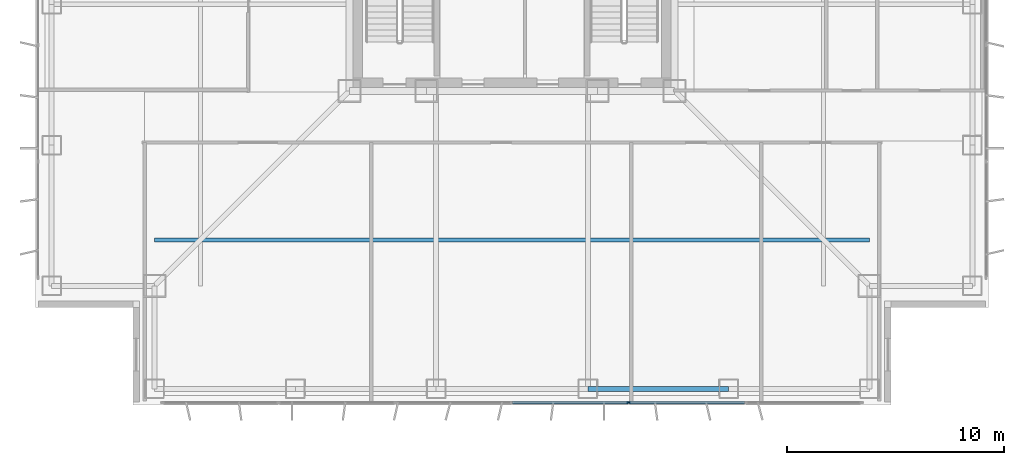
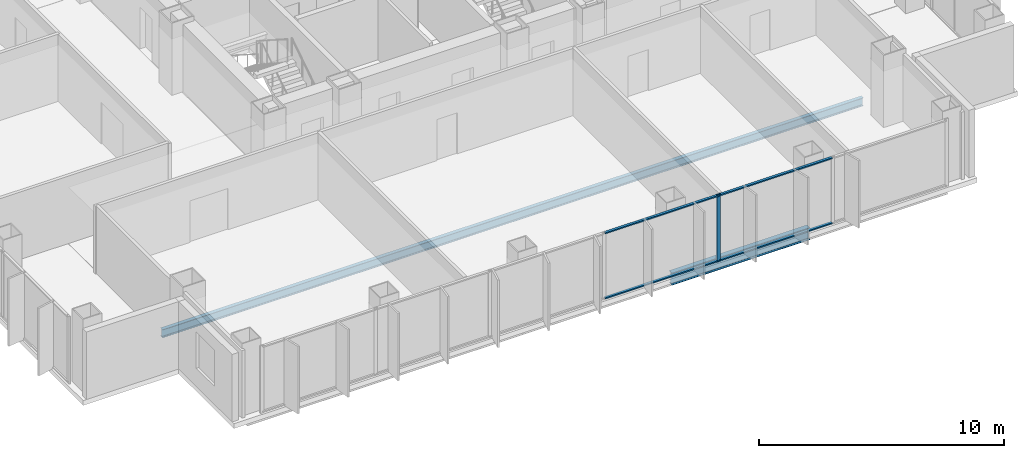
# One storey, part 3 of 17: 5 members, 2 beams, 1 element without a shape of its own.
"""IFC4 building model written with IfcOpenShell, lengths in metres."""

from ifc_helpers import new_model, si_unit, direction, frame, origin, origin_2d, place, context, subcontext, project, spatial, rectangle, i_section, extrude, material, layer, layer_set, material_profile, profile_set, type_object, element, aggregate, save


model = new_model("IFC4")

# Units and contexts
model_context = context("Model", 3, precision=1e-05, world=origin(), true_north=direction((0.0, 1.0)))
body_context = subcontext(model_context, "Body", "Model", "MODEL_VIEW")
ifc_project = project(units=[si_unit("LENGTHUNIT", "METRE"), si_unit("AREAUNIT", "SQUARE_METRE"), si_unit("VOLUMEUNIT", "CUBIC_METRE"), si_unit("PLANEANGLEUNIT", "RADIAN"), si_unit("MASSUNIT", "GRAM", prefix="KILO")], contexts=[model_context])

# Site, building, storey
site_placement = place(None, origin())
site = spatial("IfcSite", under=ifc_project, at=site_placement, CompositionType="ELEMENT")
building_placement = place(site_placement, origin())
building = spatial("IfcBuilding", under=site, at=building_placement, Name="Trevonay Congress Spire", CompositionType="ELEMENT")
storey_placement = place(building_placement, frame((0.0, 0.0, 126.39990234375)))
storey = spatial("IfcBuildingStorey", under=building, at=storey_placement, Name="L32", CompositionType="ELEMENT", Elevation=126.39990234375)

# Beam
ifc_material_1 = material(Name="Steel ASTM A572 Grade 50", Category="steel")
ifc_material_profile_1 = material_profile(ifc_material_1, i_section(OverallWidth=0.22802734375, OverallDepth=0.60791015625, WebThickness=0.01123046875, FlangeThickness=0.017333984375, FilletRadius=0.01611328125, at=origin_2d()), Name="W610x113")
ifc_profile_set_1 = profile_set([ifc_material_profile_1], Name="Steel ASTM A572 Grade 50")
beam_type_1 = type_object("IfcBeamType", Name="BM-RING-W610X113", PredefinedType="BEAM", material=ifc_profile_set_1)
beam_1_placement = place(storey_placement, frame((3.5, -21.25, -0.5439453125), z_axis=(1.0, 0.0, 0.0), x_axis=(0.0, 1.0, 0.0)))
element("IfcBeam", 1, at=beam_1_placement, inside=storey, type_object=beam_type_1, Name="L32 structural beam BM-L32-PS4", PredefinedType="BEAM", context=body_context, shape_type="SweptSolid", body=[
    extrude(i_section(OverallWidth=0.22802734375, OverallDepth=0.60791015625, WebThickness=0.01123046875, FlangeThickness=0.017333984375, FilletRadius=0.01611328125, at=origin_2d()), origin(), (0.0, 0.0, 1.0), 6.5),
])

# Curtain wall, members
ifc_material_2 = material(Name="Pale Anodised Aluminium EN AW-6063-T6", Category="aluminium")
ifc_layer = layer(ifc_material_2, 0.175048828125, Name="Pale Anodised Aluminium EN AW-6063-T6")
ifc_layer_set = layer_set([ifc_layer], Name="Pale Anodised Aluminium EN AW-6063-T6")
curtain_wall_type = type_object("IfcCurtainWallType", Name="CW-SYS03-CONGRESS-PALE-METAL", PredefinedType="NOTDEFINED", material=ifc_layer_set)
curtain_wall_placement = place(storey_placement, origin())
curtain_wall = element("IfcCurtainWall", 2, at=curtain_wall_placement, inside=storey, type_object=curtain_wall_type, Name="L32 S unitised curtain wall", PredefinedType="NOTDEFINED")
ifc_material_profile_2 = material_profile(ifc_material_2, rectangle(XDim=0.06005859375, YDim=0.159912109375, at=origin_2d()), Name="CW-MULLION-160-ALUMINIUM")
ifc_profile_set_2 = profile_set([ifc_material_profile_2], Name="Pale Anodised Aluminium EN AW-6063-T6")
member_type_1 = type_object("IfcMemberType", Name="CW-MULLION-160-ALUMINIUM", PredefinedType="MULLION", material=ifc_profile_set_2)
member_1_placement = place(storey_placement, frame((5.38330078125, -21.8798828125, 0.0), z_axis=(0.0, 0.0, 1.0), x_axis=(0.0, 1.0, 0.0)))
member_1 = element("IfcMember", 3, at=member_1_placement, type_object=member_type_1, Name="CW03 mullion 5", PredefinedType="MULLION", context=body_context, shape_type="SweptSolid", body=[
    extrude(rectangle(XDim=0.06005859375, YDim=0.159912109375, at=origin_2d()), origin(), (0.0, 0.0, 1.0), 3.360107421875),
])
ifc_material_profile_3 = material_profile(ifc_material_2, rectangle(XDim=0.1201171875, YDim=0.06005859375, at=origin_2d()), Name="CW-TRANSOM-120-ALUMINIUM")
ifc_profile_set_3 = profile_set([ifc_material_profile_3], Name="Pale Anodised Aluminium EN AW-6063-T6")
member_type_2 = type_object("IfcMemberType", Name="CW-TRANSOM-120-ALUMINIUM", PredefinedType="USERDEFINED", material=ifc_profile_set_3)
member_2_placement = place(storey_placement, frame((0.030029296875, -21.8798828125, 0.06005859375), z_axis=(1.0, 0.0, 0.0), x_axis=(0.0, 1.0, 0.0)))
member_2 = element("IfcMember", 4, at=member_2_placement, type_object=member_type_2, Name="CW03 transom 4.1", ObjectType="TRANSOM", PredefinedType="USERDEFINED", context=body_context, shape_type="SweptSolid", body=[
    extrude(rectangle(XDim=0.1201171875, YDim=0.06005859375, at=origin_2d()), origin(), (0.0, 0.0, 1.0), 5.3232421875),
])
member_3_placement = place(storey_placement, frame((0.030029296875, -21.8798828125, 3.300048828125), z_axis=(1.0, 0.0, 0.0), x_axis=(0.0, 1.0, 0.0)))
member_3 = element("IfcMember", 5, at=member_3_placement, type_object=member_type_2, Name="CW03 transom 4.2", ObjectType="TRANSOM", PredefinedType="USERDEFINED", context=body_context, shape_type="SweptSolid", body=[
    extrude(rectangle(XDim=0.1201171875, YDim=0.06005859375, at=origin_2d()), origin(), (0.0, 0.0, 1.0), 5.3232421875),
])
member_4_placement = place(storey_placement, frame((5.413330078125, -21.8798828125, 0.06005859375), z_axis=(1.0, 0.0, 0.0), x_axis=(0.0, 1.0, 0.0)))
member_4 = element("IfcMember", 6, at=member_4_placement, type_object=member_type_2, Name="CW03 transom 5.1", ObjectType="TRANSOM", PredefinedType="USERDEFINED", context=body_context, shape_type="SweptSolid", body=[
    extrude(rectangle(XDim=0.1201171875, YDim=0.06005859375, at=origin_2d()), origin(), (0.0, 0.0, 1.0), 5.3232421875),
])
member_5_placement = place(storey_placement, frame((5.413330078125, -21.8798828125, 3.300048828125), z_axis=(1.0, 0.0, 0.0), x_axis=(0.0, 1.0, 0.0)))
member_5 = element("IfcMember", 7, at=member_5_placement, type_object=member_type_2, Name="CW03 transom 5.2", ObjectType="TRANSOM", PredefinedType="USERDEFINED", context=body_context, shape_type="SweptSolid", body=[
    extrude(rectangle(XDim=0.1201171875, YDim=0.06005859375, at=origin_2d()), origin(), (0.0, 0.0, 1.0), 5.3232421875),
])
aggregate(curtain_wall, [member_1, member_2, member_3, member_4, member_5])

# Beam
ifc_material_profile_4 = material_profile(ifc_material_1, i_section(OverallWidth=0.177978515625, OverallDepth=0.406982421875, WebThickness=0.0078125, FlangeThickness=0.0126953125, FilletRadius=0.012939453125, at=origin_2d()), Name="W410x60")
ifc_profile_set_4 = profile_set([ifc_material_profile_4], Name="Steel ASTM A572 Grade 50")
beam_type_2 = type_object("IfcBeamType", Name="JS-COMP-W410X60", PredefinedType="JOIST", material=ifc_profile_set_4)
beam_2_placement = place(storey_placement, frame((-16.5, -14.375, -0.443359375), z_axis=(1.0, 0.0, 0.0), x_axis=(0.0, 1.0, 0.0)))
element("IfcBeam", 8, at=beam_2_placement, inside=storey, type_object=beam_type_2, Name="L32 structural beam JS-L32-RING-S", PredefinedType="JOIST", context=body_context, shape_type="SweptSolid", body=[
    extrude(i_section(OverallWidth=0.177978515625, OverallDepth=0.406982421875, WebThickness=0.0078125, FlangeThickness=0.0126953125, FilletRadius=0.012939453125, at=origin_2d()), origin(), (0.0, 0.0, 1.0), 33.0),
])

save(model, "model.ifc")
